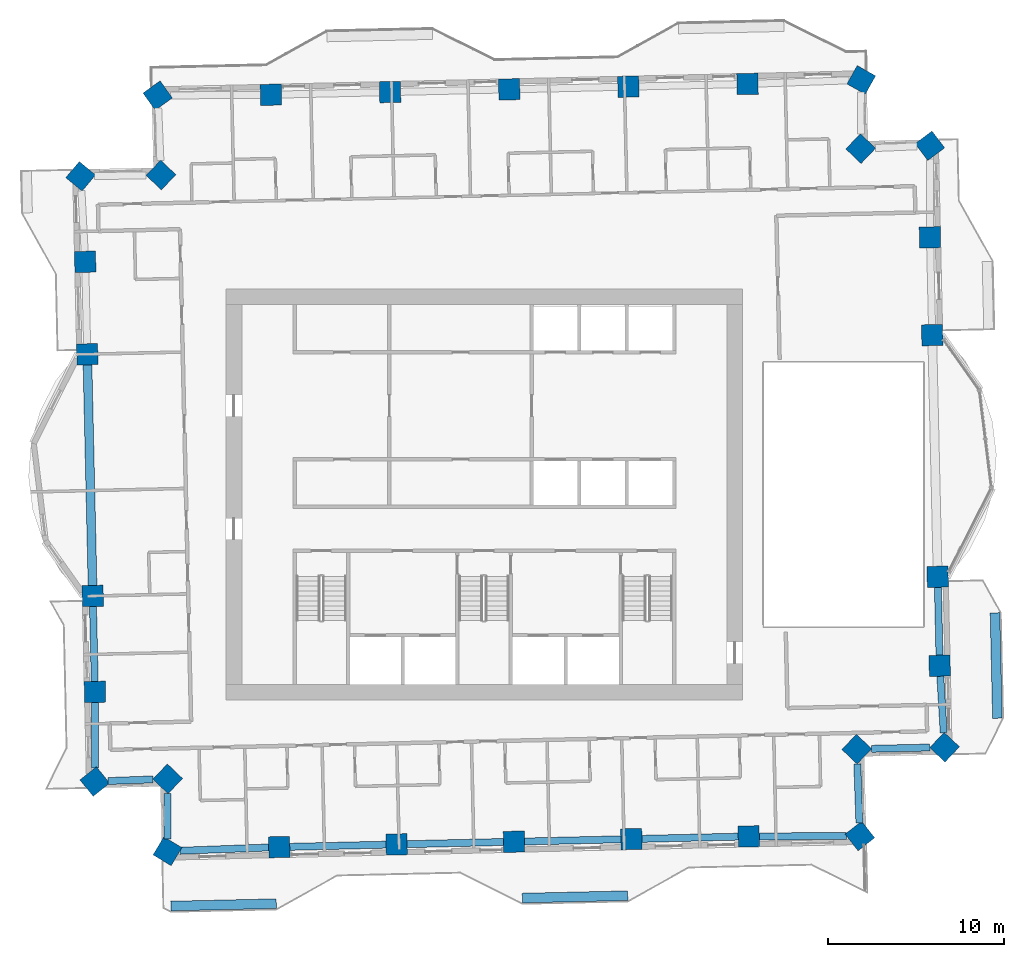
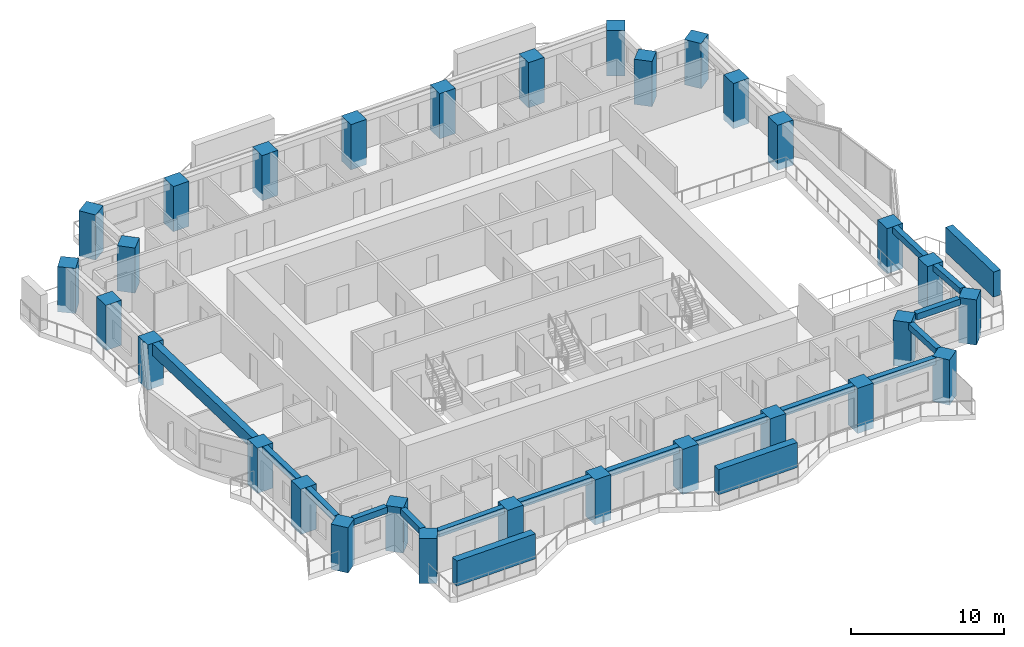
# One storey, part 1 of 16: 30 columns, 15 beams, 3 members.
"""IFC4 building model written with IfcOpenShell, lengths in metres."""

from ifc_helpers import new_model, si_unit, direction, frame, origin, origin_2d, place, context, subcontext, project, spatial, rectangle, extrude, material, material_profile, profile_set, type_object, element, save


model = new_model("IFC4")

# Units and contexts
model_context = context("Model", 3, precision=1e-05, world=origin(), true_north=direction((0.0, 1.0)))
body_context = subcontext(model_context, "Body", "Model", "MODEL_VIEW")
ifc_project = project(units=[si_unit("LENGTHUNIT", "METRE"), si_unit("AREAUNIT", "SQUARE_METRE"), si_unit("VOLUMEUNIT", "CUBIC_METRE"), si_unit("PLANEANGLEUNIT", "RADIAN"), si_unit("MASSUNIT", "GRAM", prefix="KILO")], contexts=[model_context])

# Site, building, storey
site_placement = place(None, origin())
site = spatial("IfcSite", under=ifc_project, at=site_placement, CompositionType="ELEMENT")
building_placement = place(site_placement, origin())
building = spatial("IfcBuilding", under=site, at=building_placement, Name="Mangrove Gate Tower", CompositionType="ELEMENT")
storey_placement = place(building_placement, frame((0.0, 0.0, 175.300048828125)))
storey = spatial("IfcBuildingStorey", under=building, at=storey_placement, Name="L44", CompositionType="ELEMENT", Elevation=175.300048828125)

# Columns
ifc_material_1 = material(Name="Concrete C60/75", Category="concrete")
ifc_material_profile_1 = material_profile(ifc_material_1, rectangle(XDim=1.199951171875, YDim=1.199951171875, at=origin_2d()))
ifc_profile_set_1 = profile_set([ifc_material_profile_1], Name="Concrete C60/75")
column_type = type_object("IfcColumnType", Name="Column RC 1200x1200 C60/75", PredefinedType="COLUMN", material=ifc_profile_set_1)
for number, where, z_axis, x_axis, name in (
    (1, (-22.278076171875, -5.769287109375, -0.550048828125), (0.0, 0.0, 1.0), (0.022693021881, -0.999742480221, 0.0), "Column L44 W05"),
    (2, (-22.154052734375, -11.2294921875, -0.550048828125), (0.0, 0.0, 1.0), (0.022702688514, -0.999742260752, 0.0), "Column L44 W06"),
    (3, (-22.162841796875, -16.32763671875, -0.550048828125), (0.0, 0.0, 1.0), (0.627363756843, -0.778726342562, 0.0), "Column L44 W07"),
    (4, (-18.016357421875, -16.17529296875, -0.550048828125), (0.0, 0.0, 1.0), (0.722919671176, -0.69093208713, 0.0), "Column L44 W08"),
    (5, (-18.0283203125, -20.29296875, -0.550048828125), (0.0, 0.0, 1.0), (0.858408426084, -0.512966835213, 0.0), "Column L44 S01"),
    (6, (-11.670654296875, -20.05712890625, -0.550048828125), (0.0, 0.0, 1.0), (0.99974280054, 0.022678905801, 0.0), "Column L44 S02"),
    (7, (-4.99267578125, -19.9052734375, -0.550048828125), (0.0, 0.0, 1.0), (0.999741061935, 0.022755418739, 0.0), "Column L44 S03"),
    (8, (1.685302734375, -19.753173828125, -0.550048828125), (0.0, 0.0, 1.0), (0.99974280054, 0.022678905801, 0.0), "Column L44 S04"),
    (9, (8.364501953125, -19.60205078125, -0.550048828125), (0.0, 0.0, 1.0), (0.99974280054, 0.022678905801, 0.0), "Column L44 S05"),
    (10, (15.04248046875, -19.4501953125, -0.550048828125), (0.0, 0.0, 1.0), (0.999742762144, 0.022680598335, 0.0), "Column L44 S06"),
    (11, (21.36376953125, -19.427001953125, -0.550048828125), (0.0, 0.0, 1.0), (0.786796358031, 0.617212678895, 0.0), "Column L44 S07"),
    (12, (21.187255859375, -14.485595703125, -0.550048828125), (0.0, 0.0, 1.0), (0.690872556232, 0.722976563275, 0.0), "Column L44 E01"),
    (13, (26.1826171875, -14.375244140625, -0.550048828125), (0.0, 0.0, 1.0), (0.686359333294, 0.727262583666, 0.0), "Column L44 E02"),
    (14, (25.904052734375, -9.739501953125, -0.550048828125), (0.0, 0.0, 1.0), (-0.022618201372, 0.99974417576, 0.0), "Column L44 E03"),
    (15, (25.7900390625, -4.678466796875, -0.550048828125), (0.0, 0.0, 1.0), (-0.022642926354, 0.999743616077, 0.0), "Column L44 E04"),
    (16, (25.478271484375, 9.0693359375, -0.550048828125), (0.0, 0.0, 1.0), (-0.022730815961, 0.999741621623, 0.0), "Column L44 E05"),
    (17, (25.35107421875, 14.62939453125, -0.550048828125), (0.0, 0.0, 1.0), (-0.022743867649, 0.999741324786, 0.0), "Column L44 E06"),
    (18, (25.345947265625, 19.8427734375, -0.550048828125), (0.0, 0.0, 1.0), (-0.60202964529, 0.798473735443, 0.0), "Column L44 E07"),
    (19, (21.411376953125, 19.68017578125, -0.550048828125), (0.0, 0.0, 1.0), (-0.722837628433, 0.691017917945, 0.0), "Column L44 E08"),
    (20, (21.44287109375, 23.58935546875, -0.550048828125), (0.0, 0.0, 1.0), (-0.87259482079, 0.488444755045, 0.0), "Column L44 N01"),
    (21, (14.970703125, 23.359130859375, -0.550048828125), (0.0, 0.0, 1.0), (-0.99974202573, -0.022713035648, 0.0), "Column L44 N02"),
    (22, (8.192626953125, 23.205078125, -0.550048828125), (0.0, 0.0, 1.0), (-0.999741987673, -0.022714710732, 0.0), "Column L44 N03"),
    (23, (1.41455078125, 23.05126953125, -0.550048828125), (0.0, 0.0, 1.0), (-0.999741987673, -0.022714710732, 0.0), "Column L44 N04"),
    (24, (-5.363525390625, 22.897216796875, -0.550048828125), (0.0, 0.0, 1.0), (-0.99974369748, -0.022639331897, 0.0), "Column L44 N05"),
    (25, (-12.142333984375, 22.744140625, -0.550048828125), (0.0, 0.0, 1.0), (-0.99974369748, -0.022639331897, 0.0), "Column L44 N06"),
    (26, (-18.5859375, 22.701171875, -0.550048828125), (0.0, 0.0, 1.0), (-0.814549066691, -0.580094662924, 0.0), "Column L44 N07"),
    (27, (-18.396240234375, 18.176513671875, -0.550048828125), (0.0, 0.0, 1.0), (-0.690859559249, -0.722988982899, 0.0), "Column L44 W01"),
    (28, (-22.967529296875, 18.1025390625, -0.550048828125), (0.0, 0.0, 1.0), (-0.640873753585, -0.767646293527, 0.0), "Column L44 W02"),
    (29, (-22.709228515625, 13.239501953125, -0.550048828125), (0.0, 0.0, 1.0), (0.022613490188, -0.999744282335, 0.0), "Column L44 W03"),
    (30, (-22.590087890625, 7.978515625, -0.550048828125), (0.0, 0.0, 1.0), (0.022667651322, -0.999743055782, 0.0), "Column L44 W04"),
):
    element("IfcColumn", number, at=place(storey_placement, frame(where, z_axis=z_axis, x_axis=x_axis)), inside=storey, type_object=column_type, Name=name, PredefinedType="COLUMN", context=body_context, shape_type="SweptSolid", body=[
        extrude(rectangle(XDim=1.199951171875, YDim=1.199951171875, at=origin_2d()), origin(), (0.0, 0.0, 1.0), 3.60009765625),
    ])

# Members
ifc_material_2 = material(Name="Planting on aluminium trellis", Category="aluminium")
ifc_material_profile_2 = material_profile(ifc_material_2, rectangle(XDim=0.550048828125, YDim=2.0, at=origin_2d()))
ifc_profile_set_2 = profile_set([ifc_material_profile_2], Name="Planting on aluminium trellis")
member_type = type_object("IfcMemberType", Name="Balcony greenery screen 550x2000", PredefinedType="USERDEFINED", material=ifc_profile_set_2)
member_placement = place(storey_placement, frame((29.18798828125, -12.72802734375, 1.800048828125), z_axis=(-0.022662255828, 0.999743178102, 0.0), x_axis=(-0.999743178102, -0.022662255828, 0.0)))
element("IfcMember", 31, at=member_placement, inside=storey, type_object=member_type, Name="GREEN SCREEN L44 E0.1", ObjectType="PLANTING", PredefinedType="USERDEFINED", context=body_context, shape_type="SweptSolid", body=[
    extrude(rectangle(XDim=0.550048828125, YDim=2.0, at=origin_2d()), origin(), (0.0, 0.0, 1.0), 6.00048828125),
])
for number, where, z_axis, x_axis, name in (
    (32, (-17.8359375, -23.412109375, 1.800048828125), (0.999742171567, 0.022706615587, 0.0), (-0.022706615587, 0.999742171567, 0.0), "GREEN SCREEN L44 S0.1"),
    (33, (2.158935546875, -22.958984375, 1.800048828125), (0.999743094499, 0.022665943652, 0.0), (-0.022665943652, 0.999743094499, 0.0), "GREEN SCREEN L44 S1.1"),
):
    element("IfcMember", number, at=place(storey_placement, frame(where, z_axis=z_axis, x_axis=x_axis)), inside=storey, type_object=member_type, Name=name, ObjectType="PLANTING", PredefinedType="USERDEFINED", context=body_context, shape_type="SweptSolid", body=[
        extrude(rectangle(XDim=0.550048828125, YDim=2.0, at=origin_2d()), origin(), (0.0, 0.0, 1.0), 5.99951171875),
    ])

# Beams
ifc_material_3 = material(Name="Concrete C50/60", Category="concrete")
ifc_material_profile_3 = material_profile(ifc_material_3, rectangle(XDim=0.39990234375, YDim=0.5, at=origin_2d()))
ifc_profile_set_3 = profile_set([ifc_material_profile_3], Name="Concrete C50/60")
beam_type_1 = type_object("IfcBeamType", Name="Edge beam RC 400x500 C50/60", PredefinedType="BEAM", material=ifc_profile_set_3)
beam_1_placement = place(storey_placement, frame((-22.2646484375, -6.369140625, 2.800048828125), z_axis=(0.022743528108, -0.99974133251, 0.0), x_axis=(0.99974133251, 0.022743528108, 0.0)))
element("IfcBeam", 34, at=beam_1_placement, inside=storey, type_object=beam_type_1, Name="Edge beam L44 00", PredefinedType="BEAM", context=body_context, shape_type="SweptSolid", body=[
    extrude(rectangle(XDim=0.39990234375, YDim=0.5, at=origin_2d()), origin(), (0.0, 0.0, 1.0), 4.26171875),
])
beam_2_placement = place(storey_placement, frame((-22.1552734375, -11.82958984375, 2.800048828125), z_axis=(-0.001637838474, -0.999998658742, 0.0), x_axis=(0.999998658742, -0.001637838474, 0.0)))
element("IfcBeam", 35, at=beam_2_placement, inside=storey, type_object=beam_type_1, Name="Edge beam L44 01", PredefinedType="BEAM", context=body_context, shape_type="SweptSolid", body=[
    extrude(rectangle(XDim=0.39990234375, YDim=0.5, at=origin_2d()), origin(), (0.0, 0.0, 1.0), 3.7265625),
])
beam_3_placement = place(storey_placement, frame((-21.414306640625, -16.300048828125, 2.800048828125), z_axis=(0.999327431399, 0.036669944824, 0.0), x_axis=(-0.036669944824, 0.999327431399, 0.0)))
element("IfcBeam", 36, at=beam_3_placement, inside=storey, type_object=beam_type_1, Name="Edge beam L44 02", PredefinedType="BEAM", context=body_context, shape_type="SweptSolid", body=[
    extrude(rectangle(XDim=0.39990234375, YDim=0.5, at=origin_2d()), origin(), (0.0, 0.0, 1.0), 2.563232421875),
])
beam_4_placement = place(storey_placement, frame((-18.018798828125, -17.0029296875, 2.800048828125), z_axis=(-0.002825379568, -0.999996008607, 0.0), x_axis=(0.999996008607, -0.002825379568, 0.0)))
element("IfcBeam", 37, at=beam_4_placement, inside=storey, type_object=beam_type_1, Name="Edge beam L44 03", PredefinedType="BEAM", context=body_context, shape_type="SweptSolid", body=[
    extrude(rectangle(XDim=0.39990234375, YDim=0.5, at=origin_2d()), origin(), (0.0, 0.0, 1.0), 2.59228515625),
])
beam_5_placement = place(storey_placement, frame((-17.3134765625, -20.266357421875, 2.800048828125), z_axis=(0.999313176036, 0.03705639216, 0.0), x_axis=(-0.03705639216, 0.999313176036, 0.0)))
element("IfcBeam", 38, at=beam_5_placement, inside=storey, type_object=beam_type_1, Name="Edge beam L44 04", PredefinedType="BEAM", context=body_context, shape_type="SweptSolid", body=[
    extrude(rectangle(XDim=0.39990234375, YDim=0.5, at=origin_2d()), origin(), (0.0, 0.0, 1.0), 5.046630859375),
])
for number, where, z_axis, x_axis, name in (
    (39, (-11.07080078125, -20.04345703125, 2.800048828125), (0.999740799445, 0.022766948104, 0.0), (-0.022766948104, 0.999740799445, 0.0), "Edge beam L44 05"),
    (40, (-4.392822265625, -19.8916015625, 2.800048828125), (0.999740799445, 0.022766948104, 0.0), (-0.022766948104, 0.999740799445, 0.0), "Edge beam L44 06"),
):
    element("IfcBeam", number, at=place(storey_placement, frame(where, z_axis=z_axis, x_axis=x_axis)), inside=storey, type_object=beam_type_1, Name=name, PredefinedType="BEAM", context=body_context, shape_type="SweptSolid", body=[
        extrude(rectangle(XDim=0.39990234375, YDim=0.5, at=origin_2d()), origin(), (0.0, 0.0, 1.0), 5.479736328125),
    ])
beam_6_placement = place(storey_placement, frame((2.28515625, -19.739501953125, 2.800048828125), z_axis=(0.999744953581, 0.022583794843, 0.0), x_axis=(-0.022583794843, 0.999744953581, 0.0)))
element("IfcBeam", 41, at=beam_6_placement, inside=storey, type_object=beam_type_1, Name="Edge beam L44 07", PredefinedType="BEAM", context=body_context, shape_type="SweptSolid", body=[
    extrude(rectangle(XDim=0.39990234375, YDim=0.5, at=origin_2d()), origin(), (0.0, 0.0, 1.0), 5.48095703125),
])
beam_7_placement = place(storey_placement, frame((8.96435546875, -19.588623046875, 2.800048828125), z_axis=(0.999740799445, 0.022766948104, 0.0), x_axis=(-0.022766948104, 0.999740799445, 0.0)))
element("IfcBeam", 42, at=beam_7_placement, inside=storey, type_object=beam_type_1, Name="Edge beam L44 08", PredefinedType="BEAM", context=body_context, shape_type="SweptSolid", body=[
    extrude(rectangle(XDim=0.39990234375, YDim=0.5, at=origin_2d()), origin(), (0.0, 0.0, 1.0), 5.479736328125),
])
beam_8_placement = place(storey_placement, frame((15.642578125, -19.447998046875, 2.800048828125), z_axis=(0.999993187862, 0.003691101387, 0.0), x_axis=(-0.003691101387, 0.999993187862, 0.0)))
element("IfcBeam", 43, at=beam_8_placement, inside=storey, type_object=beam_type_1, Name="Edge beam L44 09", PredefinedType="BEAM", context=body_context, shape_type="SweptSolid", body=[
    extrude(rectangle(XDim=0.39990234375, YDim=0.5, at=origin_2d()), origin(), (0.0, 0.0, 1.0), 4.960693359375),
])
beam_9_placement = place(storey_placement, frame((21.337158203125, -18.68505859375, 2.800048828125), z_axis=(-0.035701883706, 0.999362484537, 0.0), x_axis=(-0.999362484537, -0.035701883706, 0.0)))
element("IfcBeam", 44, at=beam_9_placement, inside=storey, type_object=beam_type_1, Name="Edge beam L44 10", PredefinedType="BEAM", context=body_context, shape_type="SweptSolid", body=[
    extrude(rectangle(XDim=0.39990234375, YDim=0.5, at=origin_2d()), origin(), (0.0, 0.0, 1.0), 3.364501953125),
])
beam_10_placement = place(storey_placement, frame((22.034912109375, -14.466796875, 2.800048828125), z_axis=(0.99975619393, 0.022080595508, 0.0), x_axis=(-0.022080595508, 0.99975619393, 0.0)))
element("IfcBeam", 45, at=beam_10_placement, inside=storey, type_object=beam_type_1, Name="Edge beam L44 11", PredefinedType="BEAM", context=body_context, shape_type="SweptSolid", body=[
    extrude(rectangle(XDim=0.39990234375, YDim=0.5, at=origin_2d()), origin(), (0.0, 0.0, 1.0), 3.305908203125),
])
beam_11_placement = place(storey_placement, frame((26.13330078125, -13.55322265625, 2.800048828125), z_axis=(-0.059970856871, 0.998200128394, 0.0), x_axis=(-0.998200128394, -0.059970856871, 0.0)))
element("IfcBeam", 46, at=beam_11_placement, inside=storey, type_object=beam_type_1, Name="Edge beam L44 12", PredefinedType="BEAM", context=body_context, shape_type="SweptSolid", body=[
    extrude(rectangle(XDim=0.39990234375, YDim=0.5, at=origin_2d()), origin(), (0.0, 0.0, 1.0), 3.22021484375),
])
beam_12_placement = place(storey_placement, frame((25.890625, -9.1396484375, 2.800048828125), z_axis=(-0.022503151924, 0.999746772015, 0.0), x_axis=(-0.999746772015, -0.022503151924, 0.0)))
element("IfcBeam", 47, at=beam_12_placement, inside=storey, type_object=beam_type_1, Name="Edge beam L44 13", PredefinedType="BEAM", context=body_context, shape_type="SweptSolid", body=[
    extrude(rectangle(XDim=0.39990234375, YDim=0.5, at=origin_2d()), origin(), (0.0, 0.0, 1.0), 3.8623046875),
])
ifc_material_4 = material(Name="Concrete C50/60", Category="concrete")
ifc_material_profile_4 = material_profile(ifc_material_4, rectangle(XDim=0.5, YDim=0.949951171875, at=origin_2d()))
ifc_profile_set_4 = profile_set([ifc_material_profile_4], Name="Concrete C50/60")
beam_type_2 = type_object("IfcBeamType", Name="Edge beam RC 500x950 C50/60", PredefinedType="BEAM", material=ifc_profile_set_4)
beam_13_placement = place(storey_placement, frame((-22.57666015625, 7.378662109375, 2.574951171875), z_axis=(0.022699754772, -0.999742327369, 0.0), x_axis=(0.999742327369, 0.022699754772, 0.0)))
element("IfcBeam", 48, at=beam_13_placement, inside=storey, type_object=beam_type_2, Name="Edge beam L44 29", PredefinedType="BEAM", context=body_context, shape_type="SweptSolid", body=[
    extrude(rectangle(XDim=0.5, YDim=0.949951171875, at=origin_2d()), origin(), (0.0, 0.0, 1.0), 12.55126953125),
])

save(model, "model.ifc")
